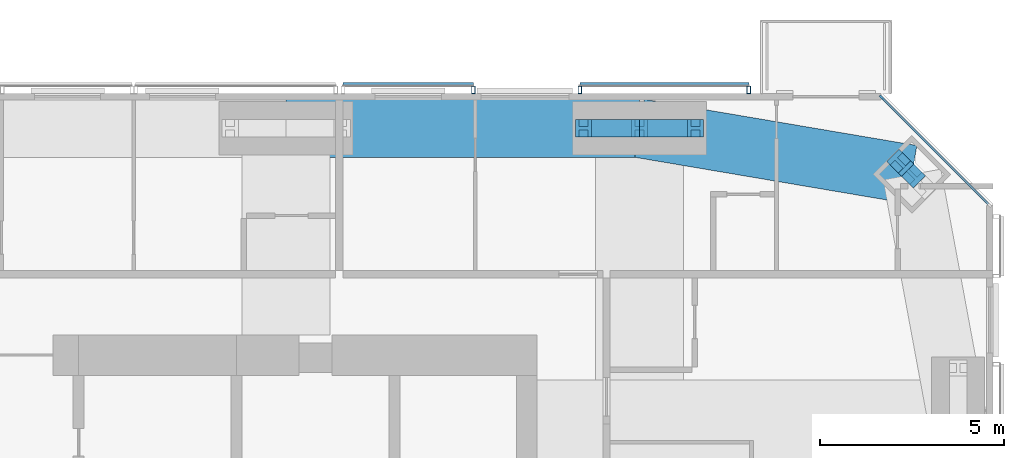
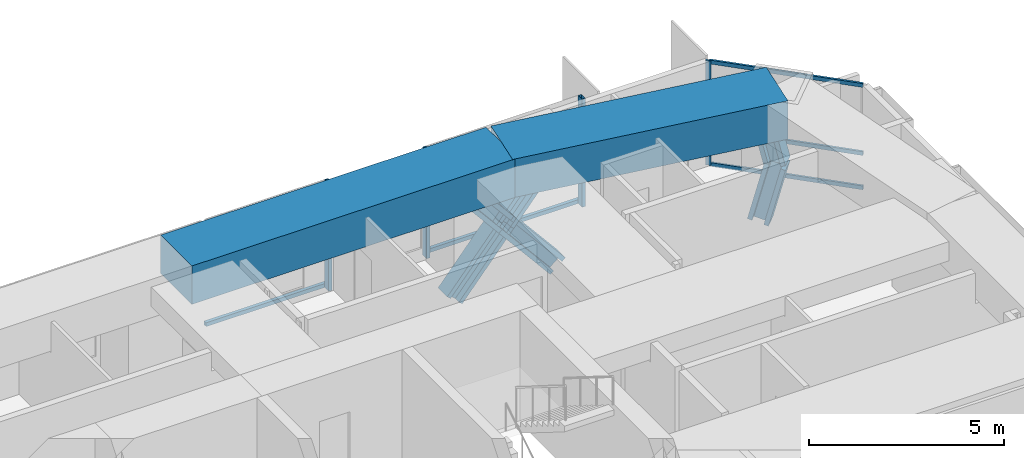
# One storey, part 11 of 19: 15 members, 2 beams, 3 elements without a shape of their own.
"""IFC4 building model written with IfcOpenShell, lengths in metres."""

from ifc_helpers import new_model, si_unit, direction, frame, origin, origin_2d, place, context, subcontext, project, spatial, rectangle, hollow_rectangle, i_section, extrude, material, material_profile, profile_set, type_object, element, aggregate, save


model = new_model("IFC4")

# Units and contexts
model_context = context("Model", 3, precision=1e-05, world=origin(), true_north=direction((0.0, 1.0)))
body_context = subcontext(model_context, "Body", "Model", "MODEL_VIEW")
ifc_project = project(units=[si_unit("LENGTHUNIT", "METRE"), si_unit("AREAUNIT", "SQUARE_METRE"), si_unit("VOLUMEUNIT", "CUBIC_METRE"), si_unit("PLANEANGLEUNIT", "RADIAN"), si_unit("MASSUNIT", "GRAM", prefix="KILO")], contexts=[model_context])

# Site, building, storey
site_placement = place(None, origin())
site = spatial("IfcSite", under=ifc_project, at=site_placement, CompositionType="ELEMENT")
building_placement = place(site_placement, origin())
building = spatial("IfcBuilding", under=site, at=building_placement, Name="Jalousie Tower", CompositionType="ELEMENT")
storey_placement = place(building_placement, frame((0.0, 0.0, 217.949951171875)))
storey = spatial("IfcBuildingStorey", under=building, at=storey_placement, Name="L59", CompositionType="ELEMENT", Elevation=217.949951171875)

# Curtain wall, members
ifc_material_1 = material(Name="Aluminium curtain wall", Category="aluminium")
curtain_wall_type_1 = type_object("IfcCurtainWallType", Name="CORNER WINDOW WALL", PredefinedType="USERDEFINED", material=ifc_material_1)
curtain_wall_1_placement = place(storey_placement, origin())
curtain_wall_1 = element("IfcCurtainWall", 1, at=curtain_wall_1_placement, inside=storey, type_object=curtain_wall_type_1, Name="Corner Window Wall L59 4", ObjectType="CORNER WINDOW WALL", PredefinedType="USERDEFINED")
ifc_material_2 = material(Name="Aluminium mullion", Category="aluminium")
ifc_material_profile_1 = material_profile(ifc_material_2, rectangle(XDim=0.06005859375, YDim=0.14990234375, at=origin_2d()), Name="MULLION 60x150")
ifc_profile_set_1 = profile_set([ifc_material_profile_1], Name="Aluminium mullion")
member_type_1 = type_object("IfcMemberType", Name="CORNER WINDOW WALL MULLION", PredefinedType="MULLION", material=ifc_profile_set_1)
member_1_placement = place(storey_placement, frame((53.469970703125, 33.891357421875, 0.0), z_axis=(0.0, 0.0, 1.0), x_axis=(-0.707106781187, -0.707106781187, 0.0)))
member_1 = element("IfcMember", 2, at=member_1_placement, type_object=member_type_1, Name="CW-C mullion 2", PredefinedType="MULLION", context=body_context, shape_type="SweptSolid", body=[
    extrude(rectangle(XDim=0.06005859375, YDim=0.14990234375, at=origin_2d()), origin(), (0.0, 0.0, 1.0), 3.260009765625),
])
ifc_material_3 = material(Name="Aluminium transom", Category="aluminium")
ifc_material_profile_2 = material_profile(ifc_material_3, rectangle(XDim=0.06005859375, YDim=0.1201171875, at=origin_2d()), Name="TRANSOM 60x120")
ifc_profile_set_2 = profile_set([ifc_material_profile_2], Name="Aluminium transom")
member_type_2 = type_object("IfcMemberType", Name="CORNER WINDOW WALL TRANSOM", PredefinedType="USERDEFINED", material=ifc_profile_set_2)
member_2_placement = place(storey_placement, frame((56.3701171875, 30.9912109375, 0.030029296875), z_axis=(-0.707106781187, 0.707106781187, 0.0), x_axis=(-0.707106781187, -0.707106781187, 0.0)))
member_2 = element("IfcMember", 3, at=member_2_placement, type_object=member_type_2, Name="CW-C transom 1.1", ObjectType="TRANSOM", PredefinedType="USERDEFINED", context=body_context, shape_type="SweptSolid", body=[
    extrude(rectangle(XDim=0.06005859375, YDim=0.1201171875, at=origin_2d()), origin(), (0.0, 0.0, 1.0), 4.0712890625),
])
member_3_placement = place(storey_placement, frame((56.3701171875, 30.9912109375, 1.10009765625), z_axis=(-0.707106781187, 0.707106781187, 0.0), x_axis=(-0.707106781187, -0.707106781187, 0.0)))
member_3 = element("IfcMember", 4, at=member_3_placement, type_object=member_type_2, Name="CW-C transom 1.2", ObjectType="TRANSOM", PredefinedType="USERDEFINED", context=body_context, shape_type="SweptSolid", body=[
    extrude(rectangle(XDim=0.06005859375, YDim=0.1201171875, at=origin_2d()), origin(), (0.0, 0.0, 1.0), 4.0712890625),
])
member_4_placement = place(storey_placement, frame((56.3701171875, 30.9912109375, 3.22998046875), z_axis=(-0.707106781187, 0.707106781187, 0.0), x_axis=(-0.707106781187, -0.707106781187, 0.0)))
member_4 = element("IfcMember", 5, at=member_4_placement, type_object=member_type_2, Name="CW-C transom 1.3", ObjectType="TRANSOM", PredefinedType="USERDEFINED", context=body_context, shape_type="SweptSolid", body=[
    extrude(rectangle(XDim=0.06005859375, YDim=0.1201171875, at=origin_2d()), origin(), (0.0, 0.0, 1.0), 4.0712890625),
])
aggregate(curtain_wall_1, [member_1, member_2, member_3, member_4])

# Members
ifc_material_4 = material(Name="Steel ASTM A992 Grade 50", Category="steel")
ifc_material_profile_3 = material_profile(ifc_material_4, i_section(OverallWidth=0.472412109375, OverallDepth=0.5791015625, WebThickness=0.094970703125, FlangeThickness=0.1298828125, at=origin_2d()), Name="W14X808")
ifc_profile_set_3 = profile_set([ifc_material_profile_3], Name="Steel ASTM A992 Grade 50")
member_type_3 = type_object("IfcMemberType", Name="PERIMETER BRACE W14X808", PredefinedType="BRACE", material=ifc_profile_set_3)
member_5_placement = place(storey_placement, frame((54.29296875, 31.79296875, 1.074951171875), z_axis=(-0.169352361735, 0.169222490292, 0.970918908228), x_axis=(-0.706835495285, -0.707377963048, 0.0)))
element("IfcMember", 6, at=member_5_placement, inside=storey, type_object=member_type_3, Name="Perimeter brace 08 L59 part 2", PredefinedType="BRACE", context=body_context, shape_type="SweptSolid", body=[
    extrude(i_section(OverallWidth=0.472412109375, OverallDepth=0.5791015625, WebThickness=0.094970703125, FlangeThickness=0.1298828125, at=origin_2d()), origin(), (0.0, 0.0, 1.0), 1.8798828125),
])
member_6_placement = place(storey_placement, frame((53.974609375, 32.111083984375, -0.75), z_axis=(0.169373718771, -0.16924383095, 0.970911463047), x_axis=(0.706835495285, 0.707377963048, 0.0)))
element("IfcMember", 7, at=member_6_placement, inside=storey, type_object=member_type_3, Name="Perimeter brace 08 L59 part 3", PredefinedType="BRACE", context=body_context, shape_type="SweptSolid", body=[
    extrude(i_section(OverallWidth=0.472412109375, OverallDepth=0.5791015625, WebThickness=0.094970703125, FlangeThickness=0.1298828125, at=origin_2d()), origin(), (0.0, 0.0, 1.0), 1.879638671875),
])
member_7_placement = place(storey_placement, frame((45.35009765625, 33.050048828125, -0.75), z_axis=(0.641203686759, 0.0, 0.767370726629), x_axis=(0.0, 1.0, 0.0)))
element("IfcMember", 8, at=member_7_placement, inside=storey, type_object=member_type_3, Name="Perimeter brace 09 L59 part 1", PredefinedType="BRACE", context=body_context, shape_type="SweptSolid", body=[
    extrude(i_section(OverallWidth=0.472412109375, OverallDepth=0.5791015625, WebThickness=0.094970703125, FlangeThickness=0.1298828125, at=origin_2d()), origin(), (0.0, 0.0, 1.0), 2.378173828125),
])
member_8_placement = place(storey_placement, frame((46.875, 33.050048828125, 1.074951171875), z_axis=(0.641153177267, 0.0, 0.767412928794), x_axis=(0.0, 1.0, 0.0)))
element("IfcMember", 9, at=member_8_placement, inside=storey, type_object=member_type_3, Name="Perimeter brace 09 L59 part 2", PredefinedType="BRACE", context=body_context, shape_type="SweptSolid", body=[
    extrude(i_section(OverallWidth=0.472412109375, OverallDepth=0.5791015625, WebThickness=0.094970703125, FlangeThickness=0.1298828125, at=origin_2d()), origin(), (0.0, 0.0, 1.0), 2.37841796875),
])
member_9_placement = place(storey_placement, frame((48.39990234375, 33.050048828125, -0.75), z_axis=(-0.641203686759, 0.0, 0.767370726629), x_axis=(0.0, -1.0, 0.0)))
element("IfcMember", 10, at=member_9_placement, inside=storey, type_object=member_type_3, Name="Perimeter brace 09 L59 part 3", PredefinedType="BRACE", context=body_context, shape_type="SweptSolid", body=[
    extrude(i_section(OverallWidth=0.472412109375, OverallDepth=0.5791015625, WebThickness=0.094970703125, FlangeThickness=0.1298828125, at=origin_2d()), origin(), (0.0, 0.0, 1.0), 2.378173828125),
])
member_10_placement = place(storey_placement, frame((46.875, 33.050048828125, 1.074951171875), z_axis=(-0.641153177267, 0.0, 0.767412928794), x_axis=(0.0, -1.0, 0.0)))
element("IfcMember", 11, at=member_10_placement, inside=storey, type_object=member_type_3, Name="Perimeter brace 09 L59 part 4", PredefinedType="BRACE", context=body_context, shape_type="SweptSolid", body=[
    extrude(i_section(OverallWidth=0.472412109375, OverallDepth=0.5791015625, WebThickness=0.094970703125, FlangeThickness=0.1298828125, at=origin_2d()), origin(), (0.0, 0.0, 1.0), 2.37841796875),
])

# Beams
ifc_material_5 = material(Name="Concrete f'c 40 MPa", Category="concrete")
ifc_material_profile_4 = material_profile(ifc_material_5, rectangle(XDim=1.60009765625, YDim=1.199951171875, at=origin_2d()), Name="RC 1600x1200")
ifc_profile_set_4 = profile_set([ifc_material_profile_4], Name="Concrete f'c 40 MPa")
beam_type = type_object("IfcBeamType", Name="RC BEAM 1600x1200", PredefinedType="BEAM", material=ifc_profile_set_4)
beam_1_placement = place(storey_placement, frame((54.29296875, 31.79296875, 2.900146484375), z_axis=(-0.985942997446, 0.167082033105, 0.0), x_axis=(-0.167082033105, -0.985942997446, 0.0)))
element("IfcBeam", 12, at=beam_1_placement, inside=storey, type_object=beam_type, Name="Edge band beam 08-09 under L60", PredefinedType="BEAM", context=body_context, shape_type="SweptSolid", body=[
    extrude(rectangle(XDim=1.60009765625, YDim=1.199951171875, at=origin_2d()), origin(), (0.0, 0.0, 1.0), 7.523681640625),
])
beam_2_placement = place(storey_placement, frame((46.875, 33.050048828125, 2.900146484375), z_axis=(-1.0, 0.0, 0.0), x_axis=(0.0, -1.0, 0.0)))
element("IfcBeam", 13, at=beam_2_placement, inside=storey, type_object=beam_type, Name="Edge band beam 09-10 under L60", PredefinedType="BEAM", context=body_context, shape_type="SweptSolid", body=[
    extrude(rectangle(XDim=1.60009765625, YDim=1.199951171875, at=origin_2d()), origin(), (0.0, 0.0, 1.0), 9.625),
])

# Curtain wall, members
ifc_material_6 = material(Name="Perforated aluminium sheet", Category="aluminium")
curtain_wall_type_2 = type_object("IfcCurtainWallType", Name="SOLAR SCREEN SS-2", PredefinedType="USERDEFINED", material=ifc_material_6)
curtain_wall_2_placement = place(storey_placement, origin())
curtain_wall_2 = element("IfcCurtainWall", 14, at=curtain_wall_2_placement, inside=storey, type_object=curtain_wall_type_2, Name="Solar screen L59", ObjectType="SOLAR SCREEN SS-2", PredefinedType="USERDEFINED")
ifc_material_7 = material(Name="Steel ASTM A500 Grade C", Category="steel")
ifc_material_profile_5 = material_profile(ifc_material_7, hollow_rectangle(XDim=0.1015625, YDim=0.203125, WallThickness=0.0078125, at=origin_2d()), Name="HSS8X4X5/16")
ifc_profile_set_5 = profile_set([ifc_material_profile_5], Name="Steel ASTM A500 Grade C")
member_type_4 = type_object("IfcMemberType", Name="SOLAR SCREEN SS-2 MULLION", PredefinedType="MULLION", material=ifc_profile_set_5)
member_11_placement = place(storey_placement, frame((49.8486328125, 34.0966796875, -0.119873046875), z_axis=(0.0, 0.0, 1.0), x_axis=(-1.0, 0.0, 0.0)))
member_11 = element("IfcMember", 15, at=member_11_placement, type_object=member_type_4, Name="SS2 post 1", PredefinedType="MULLION", context=body_context, shape_type="SweptSolid", body=[
    extrude(hollow_rectangle(XDim=0.1015625, YDim=0.203125, WallThickness=0.0078125, at=origin_2d()), origin(), (0.0, 0.0, 1.0), 3.3798828125),
])
member_12_placement = place(storey_placement, frame((45.25, 34.0966796875, -0.119873046875), z_axis=(0.0, 0.0, 1.0), x_axis=(-1.0, 0.0, 0.0)))
member_12 = element("IfcMember", 16, at=member_12_placement, type_object=member_type_4, Name="SS2 post 2", PredefinedType="MULLION", context=body_context, shape_type="SweptSolid", body=[
    extrude(hollow_rectangle(XDim=0.1015625, YDim=0.203125, WallThickness=0.0078125, at=origin_2d()), origin(), (0.0, 0.0, 1.0), 3.3798828125),
])

# Curtain wall, member
curtain_wall_3_placement = place(storey_placement, origin())
curtain_wall_3 = element("IfcCurtainWall", 17, at=curtain_wall_3_placement, inside=storey, type_object=curtain_wall_type_2, Name="Solar screen L59", ObjectType="SOLAR SCREEN SS-2", PredefinedType="USERDEFINED")
member_13_placement = place(storey_placement, frame((42.35009765625, 34.0966796875, -0.119873046875), z_axis=(0.0, 0.0, 1.0), x_axis=(-1.0, 0.0, 0.0)))
member_13 = element("IfcMember", 18, at=member_13_placement, type_object=member_type_4, Name="SS2 post 1", PredefinedType="MULLION", context=body_context, shape_type="SweptSolid", body=[
    extrude(hollow_rectangle(XDim=0.1015625, YDim=0.203125, WallThickness=0.0078125, at=origin_2d()), origin(), (0.0, 0.0, 1.0), 3.3798828125),
])

# Member
ifc_material_8 = material(Name="Extruded aluminium screen rail", Category="aluminium")
ifc_material_profile_6 = material_profile(ifc_material_8, rectangle(XDim=0.1015625, YDim=0.1201171875, at=origin_2d()), Name="RAIL 102x120")
ifc_profile_set_6 = profile_set([ifc_material_profile_6], Name="Extruded aluminium screen rail")
member_type_5 = type_object("IfcMemberType", Name="SOLAR SCREEN SS-2 TRANSOM", PredefinedType="USERDEFINED", material=ifc_profile_set_6)
member_14_placement = place(storey_placement, frame((49.8486328125, 34.2490234375, -0.06005859375), z_axis=(-1.0, 0.0, 0.0), x_axis=(0.0, -1.0, 0.0)))
member_14 = element("IfcMember", 19, at=member_14_placement, type_object=member_type_5, Name="SS2 rail", ObjectType="TRANSOM", PredefinedType="USERDEFINED", context=body_context, shape_type="SweptSolid", body=[
    extrude(rectangle(XDim=0.1015625, YDim=0.1201171875, at=origin_2d()), origin(), (0.0, 0.0, 1.0), 4.5986328125),
])

aggregate(curtain_wall_2, [member_11, member_12, member_14])

member_15_placement = place(storey_placement, frame((42.35009765625, 34.2490234375, -0.06005859375), z_axis=(-1.0, 0.0, 0.0), x_axis=(0.0, -1.0, 0.0)))
member_15 = element("IfcMember", 20, at=member_15_placement, type_object=member_type_5, Name="SS2 rail", ObjectType="TRANSOM", PredefinedType="USERDEFINED", context=body_context, shape_type="SweptSolid", body=[
    extrude(rectangle(XDim=0.1015625, YDim=0.1201171875, at=origin_2d()), origin(), (0.0, 0.0, 1.0), 3.550048828125),
])

aggregate(curtain_wall_3, [member_13, member_15])

save(model, "model.ifc")
